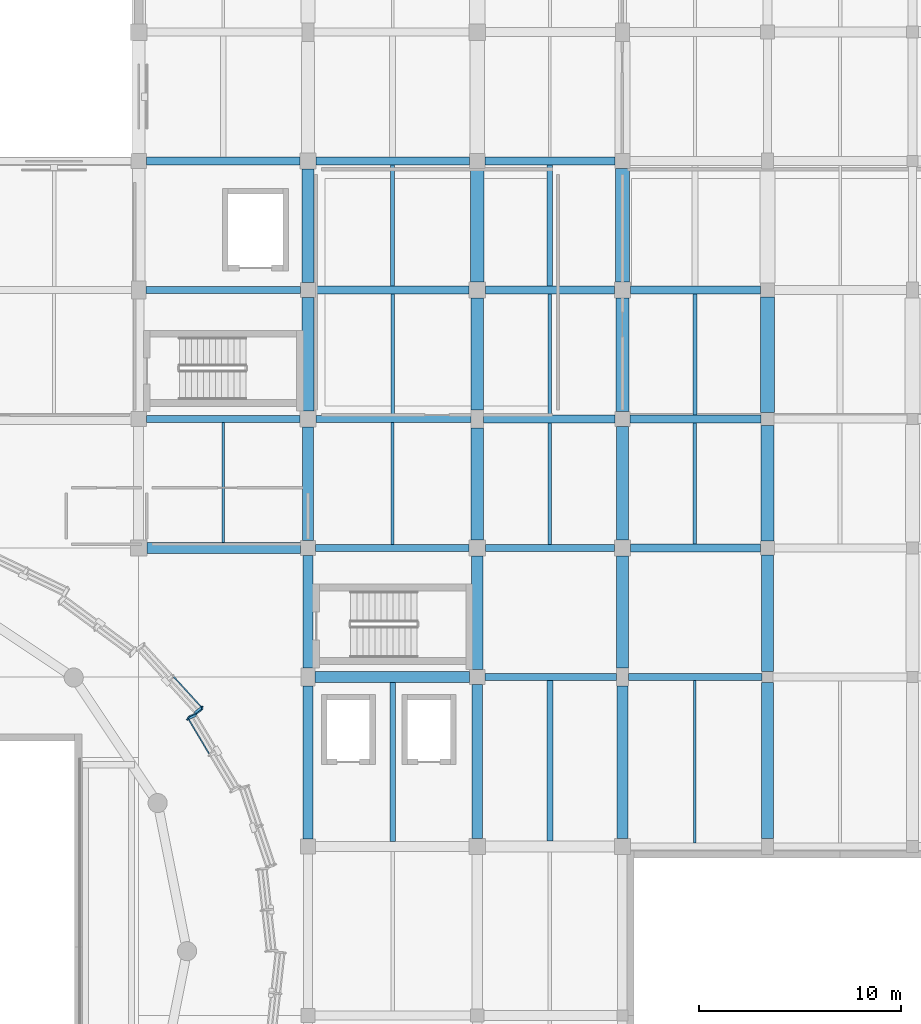
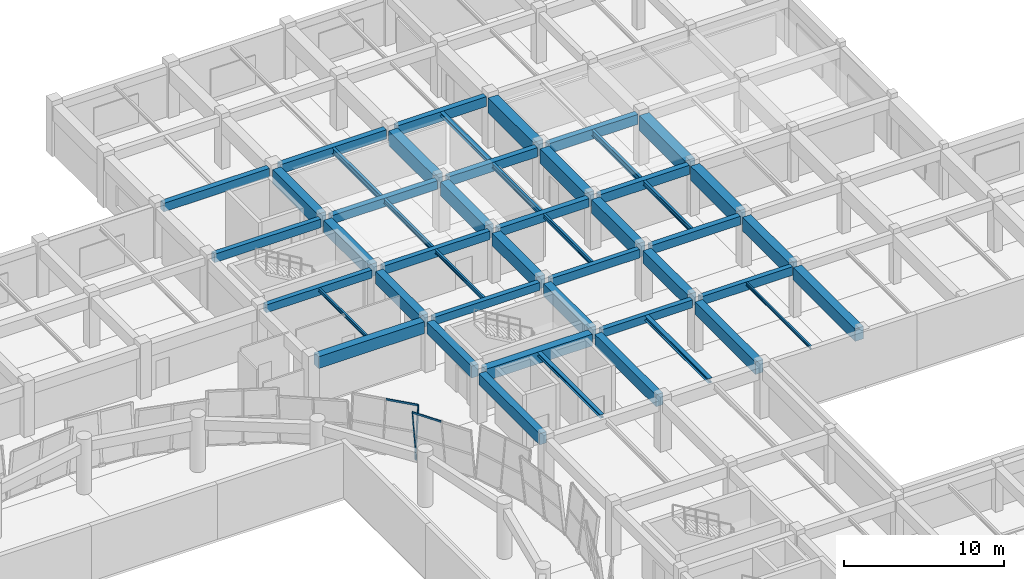
# One storey, part 37 of 71: 49 beams, 4 members, 2 elements without a shape of their own.
"""IFC4 building model written with IfcOpenShell, lengths in metres."""

from ifc_helpers import new_model, si_unit, direction, frame, origin, origin_2d, place, context, subcontext, project, spatial, rectangle, hollow_rectangle, i_section, extrude, material, material_profile, profile_set, type_object, element, aggregate, save


model = new_model("IFC4")

# Units and contexts
model_context = context("Model", 3, precision=1e-05, world=origin(), true_north=direction((0.0, 1.0)))
body_context = subcontext(model_context, "Body", "Model", "MODEL_VIEW")
ifc_project = project(units=[si_unit("LENGTHUNIT", "METRE"), si_unit("AREAUNIT", "SQUARE_METRE"), si_unit("VOLUMEUNIT", "CUBIC_METRE"), si_unit("PLANEANGLEUNIT", "RADIAN"), si_unit("MASSUNIT", "GRAM", prefix="KILO")], contexts=[model_context])

# Site, building, storey
site_placement = place(None, origin())
site = spatial("IfcSite", under=ifc_project, at=site_placement, CompositionType="ELEMENT")
building_placement = place(site_placement, origin())
building = spatial("IfcBuilding", under=site, at=building_placement, Name="Korsvaeld Concert Hall", CompositionType="ELEMENT")
storey_placement = place(building_placement, frame((0.0, 0.0, 4.800048828125)))
storey = spatial("IfcBuildingStorey", under=building, at=storey_placement, Name="L01", CompositionType="ELEMENT", Elevation=4.800048828125)

# Beams
ifc_material_1 = material(Name="Concrete C35/45", Category="concrete")
ifc_material_profile_1 = material_profile(ifc_material_1, rectangle(XDim=0.35009765625, YDim=0.60009765625, at=origin_2d()), Name="RC 350x600")
ifc_profile_set_1 = profile_set([ifc_material_profile_1], Name="Concrete C35/45")
beam_type_1 = type_object("IfcBeamType", Name="BM-RC-350x600", PredefinedType="T_BEAM", material=ifc_profile_set_1)
beam_1_placement = place(storey_placement, frame((117.97509765625, 76.800048828125, 3.5400390625), z_axis=(1.0, 0.0, 0.0), x_axis=(0.0, 1.0, 0.0)))
element("IfcBeam", 1, at=beam_1_placement, inside=storey, type_object=beam_type_1, Name="Primary girder 16-17/L L01", PredefinedType="T_BEAM", context=body_context, shape_type="SweptSolid", body=[
    extrude(rectangle(XDim=0.35009765625, YDim=0.60009765625, at=origin_2d()), origin(), (0.0, 0.0, 1.0), 6.52490234375),
])
for number, where, z_axis, x_axis, name in (
    (2, (109.574951171875, 83.199951171875, 3.5400390625), (1.0, 0.0, 0.0), (0.0, 1.0, 0.0), "Primary girder 15-16/M L01"),
    (3, (101.175048828125, 89.60009765625, 3.5400390625), (1.0, 0.0, 0.0), (0.0, 1.0, 0.0), "Primary girder 14-15/N L01"),
):
    element("IfcBeam", number, at=place(storey_placement, frame(where, z_axis=z_axis, x_axis=x_axis)), inside=storey, type_object=beam_type_1, Name=name, PredefinedType="T_BEAM", context=body_context, shape_type="SweptSolid", body=[
        extrude(rectangle(XDim=0.35009765625, YDim=0.60009765625, at=origin_2d()), origin(), (0.0, 0.0, 1.0), 7.625),
    ])
ifc_material_profile_2 = material_profile(ifc_material_1, rectangle(XDim=0.35009765625, YDim=0.64990234375, at=origin_2d()), Name="RC 350x650")
ifc_profile_set_2 = profile_set([ifc_material_profile_2], Name="Concrete C35/45")
beam_type_2 = type_object("IfcBeamType", Name="BM-RC-350x650", PredefinedType="T_BEAM", material=ifc_profile_set_2)
beam_2_placement = place(storey_placement, frame((125.10009765625, 76.800048828125, 3.514892578125), z_axis=(1.0, 0.0, 0.0), x_axis=(0.0, 1.0, 0.0)))
element("IfcBeam", 4, at=beam_2_placement, inside=storey, type_object=beam_type_2, Name="Primary girder 17-18/L L01", PredefinedType="T_BEAM", context=body_context, shape_type="SweptSolid", body=[
    extrude(rectangle(XDim=0.35009765625, YDim=0.64990234375, at=origin_2d()), origin(), (0.0, 0.0, 1.0), 6.625),
])
beam_3_placement = place(storey_placement, frame((118.0, 83.199951171875, 3.514892578125), z_axis=(1.0, 0.0, 0.0), x_axis=(0.0, 1.0, 0.0)))
element("IfcBeam", 5, at=beam_3_placement, inside=storey, type_object=beam_type_2, Name="Primary girder 16-17/M L01", PredefinedType="T_BEAM", context=body_context, shape_type="SweptSolid", body=[
    extrude(rectangle(XDim=0.35009765625, YDim=0.64990234375, at=origin_2d()), origin(), (0.0, 0.0, 1.0), 6.39990234375),
])
beam_4_placement = place(storey_placement, frame((109.60009765625, 89.60009765625, 3.514892578125), z_axis=(1.0, 0.0, 0.0), x_axis=(0.0, 1.0, 0.0)))
element("IfcBeam", 6, at=beam_4_placement, inside=storey, type_object=beam_type_2, Name="Primary girder 15-16/N L01", PredefinedType="T_BEAM", context=body_context, shape_type="SweptSolid", body=[
    extrude(rectangle(XDim=0.35009765625, YDim=0.64990234375, at=origin_2d()), origin(), (0.0, 0.0, 1.0), 7.699951171875),
])
beam_5_placement = place(storey_placement, frame((101.14990234375, 96.0, 3.514892578125), z_axis=(1.0, 0.0, 0.0), x_axis=(0.0, 1.0, 0.0)))
element("IfcBeam", 7, at=beam_5_placement, inside=storey, type_object=beam_type_2, Name="Primary girder 14-15/P L01", PredefinedType="T_BEAM", context=body_context, shape_type="SweptSolid", body=[
    extrude(rectangle(XDim=0.35009765625, YDim=0.64990234375, at=origin_2d()), origin(), (0.0, 0.0, 1.0), 7.675048828125),
])
ifc_material_profile_3 = material_profile(ifc_material_1, rectangle(XDim=0.39990234375, YDim=0.64990234375, at=origin_2d()), Name="RC 400x650")
ifc_profile_set_3 = profile_set([ifc_material_profile_3], Name="Concrete C35/45")
beam_type_3 = type_object("IfcBeamType", Name="BM-RC-400x650", PredefinedType="T_BEAM", material=ifc_profile_set_3)
beam_6_placement = place(storey_placement, frame((125.199951171875, 83.199951171875, 3.514892578125), z_axis=(1.0, 0.0, 0.0), x_axis=(0.0, 1.0, 0.0)))
element("IfcBeam", 8, at=beam_6_placement, inside=storey, type_object=beam_type_3, Name="Primary girder 17-18/M L01", PredefinedType="T_BEAM", context=body_context, shape_type="SweptSolid", body=[
    extrude(rectangle(XDim=0.39990234375, YDim=0.64990234375, at=origin_2d()), origin(), (0.0, 0.0, 1.0), 6.449951171875),
])
beam_7_placement = place(storey_placement, frame((117.89990234375, 89.60009765625, 3.514892578125), z_axis=(1.0, 0.0, 0.0), x_axis=(0.0, 1.0, 0.0)))
element("IfcBeam", 9, at=beam_7_placement, inside=storey, type_object=beam_type_3, Name="Primary girder 16-17/N L01", PredefinedType="T_BEAM", context=body_context, shape_type="SweptSolid", body=[
    extrude(rectangle(XDim=0.39990234375, YDim=0.64990234375, at=origin_2d()), origin(), (0.0, 0.0, 1.0), 6.525146484375),
])
for number, where, z_axis, x_axis, name in (
    (10, (109.574951171875, 96.0, 3.514892578125), (1.0, 0.0, 0.0), (0.0, 1.0, 0.0), "Primary girder 15-16/P L01"),
    (11, (101.175048828125, 102.39990234375, 3.514892578125), (1.0, 0.0, 0.0), (0.0, 1.0, 0.0), "Primary girder 14-15/Q L01"),
):
    element("IfcBeam", number, at=place(storey_placement, frame(where, z_axis=z_axis, x_axis=x_axis)), inside=storey, type_object=beam_type_3, Name=name, PredefinedType="T_BEAM", context=body_context, shape_type="SweptSolid", body=[
        extrude(rectangle(XDim=0.39990234375, YDim=0.64990234375, at=origin_2d()), origin(), (0.0, 0.0, 1.0), 7.625),
    ])
ifc_material_profile_4 = material_profile(ifc_material_1, rectangle(XDim=0.39990234375, YDim=0.699951171875, at=origin_2d()), Name="RC 400x700")
ifc_profile_set_4 = profile_set([ifc_material_profile_4], Name="Concrete C35/45")
beam_type_4 = type_object("IfcBeamType", Name="BM-RC-400x700", PredefinedType="T_BEAM", material=ifc_profile_set_4)
beam_8_placement = place(storey_placement, frame((125.175048828125, 89.60009765625, 3.489990234375), z_axis=(1.0, 0.0, 0.0), x_axis=(0.0, 1.0, 0.0)))
element("IfcBeam", 12, at=beam_8_placement, inside=storey, type_object=beam_type_4, Name="Primary girder 17-18/N L01", PredefinedType="T_BEAM", context=body_context, shape_type="SweptSolid", body=[
    extrude(rectangle(XDim=0.39990234375, YDim=0.699951171875, at=origin_2d()), origin(), (0.0, 0.0, 1.0), 6.5),
])
beam_9_placement = place(storey_placement, frame((118.0, 96.0, 3.489990234375), z_axis=(1.0, 0.0, 0.0), x_axis=(0.0, 1.0, 0.0)))
element("IfcBeam", 13, at=beam_9_placement, inside=storey, type_object=beam_type_4, Name="Primary girder 16-17/P L01", PredefinedType="T_BEAM", context=body_context, shape_type="SweptSolid", body=[
    extrude(rectangle(XDim=0.39990234375, YDim=0.699951171875, at=origin_2d()), origin(), (0.0, 0.0, 1.0), 6.39990234375),
])
beam_10_placement = place(storey_placement, frame((109.60009765625, 102.39990234375, 3.489990234375), z_axis=(1.0, 0.0, 0.0), x_axis=(0.0, 1.0, 0.0)))
element("IfcBeam", 14, at=beam_10_placement, inside=storey, type_object=beam_type_4, Name="Primary girder 15-16/Q L01", PredefinedType="T_BEAM", context=body_context, shape_type="SweptSolid", body=[
    extrude(rectangle(XDim=0.39990234375, YDim=0.699951171875, at=origin_2d()), origin(), (0.0, 0.0, 1.0), 7.625),
])
ifc_material_profile_5 = material_profile(ifc_material_1, rectangle(XDim=0.39990234375, YDim=0.75, at=origin_2d()), Name="RC 400x750")
ifc_profile_set_5 = profile_set([ifc_material_profile_5], Name="Concrete C35/45")
beam_type_5 = type_object("IfcBeamType", Name="BM-RC-400x750", PredefinedType="T_BEAM", material=ifc_profile_set_5)
for number, where, z_axis, x_axis, name in (
    (15, (125.199951171875, 96.0, 3.46484375), (1.0, 0.0, 0.0), (0.0, 1.0, 0.0), "Primary girder 17-18/P L01"),
    (16, (117.97509765625, 102.39990234375, 3.46484375), (1.0, 0.0, 0.0), (0.0, 1.0, 0.0), "Primary girder 16-17/Q L01"),
):
    element("IfcBeam", number, at=place(storey_placement, frame(where, z_axis=z_axis, x_axis=x_axis)), inside=storey, type_object=beam_type_5, Name=name, PredefinedType="T_BEAM", context=body_context, shape_type="SweptSolid", body=[
        extrude(rectangle(XDim=0.39990234375, YDim=0.75, at=origin_2d()), origin(), (0.0, 0.0, 1.0), 6.449951171875),
    ])
ifc_material_2 = material(Name="Concrete C40/50", Category="concrete")
ifc_material_profile_6 = material_profile(ifc_material_2, rectangle(XDim=0.5, YDim=0.85009765625, at=origin_2d()), Name="RC 500x850")
ifc_profile_set_6 = profile_set([ifc_material_profile_6], Name="Concrete C40/50")
beam_type_6 = type_object("IfcBeamType", Name="BM-RC-500x850", PredefinedType="T_BEAM", material=ifc_profile_set_6)
beam_11_placement = place(storey_placement, frame((109.199951171875, 68.77490234375, 3.4150390625), z_axis=(0.0, 1.0, 0.0), x_axis=(-1.0, 0.0, 0.0)))
element("IfcBeam", 17, at=beam_11_placement, inside=storey, type_object=beam_type_6, Name="Primary girder 15/K-L L01", PredefinedType="T_BEAM", context=body_context, shape_type="SweptSolid", body=[
    extrude(rectangle(XDim=0.5, YDim=0.85009765625, at=origin_2d()), origin(), (0.0, 0.0, 1.0), 7.5751953125),
])
ifc_material_profile_7 = material_profile(ifc_material_2, rectangle(XDim=0.5, YDim=0.89990234375, at=origin_2d()), Name="RC 500x900")
ifc_profile_set_7 = profile_set([ifc_material_profile_7], Name="Concrete C40/50")
beam_type_7 = type_object("IfcBeamType", Name="BM-RC-500x900", PredefinedType="T_BEAM", material=ifc_profile_set_7)
beam_12_placement = place(storey_placement, frame((109.199951171875, 77.25, 3.389892578125), z_axis=(0.0, 1.0, 0.0), x_axis=(-1.0, 0.0, 0.0)))
element("IfcBeam", 18, at=beam_12_placement, inside=storey, type_object=beam_type_7, Name="Primary girder 15/L-M L01", PredefinedType="T_BEAM", context=body_context, shape_type="SweptSolid", body=[
    extrude(rectangle(XDim=0.5, YDim=0.89990234375, at=origin_2d()), origin(), (0.0, 0.0, 1.0), 5.574951171875),
])
beam_13_placement = place(storey_placement, frame((117.60009765625, 68.800048828125, 3.389892578125), z_axis=(0.0, 1.0, 0.0), x_axis=(-1.0, 0.0, 0.0)))
element("IfcBeam", 19, at=beam_13_placement, inside=storey, type_object=beam_type_7, Name="Primary girder 16/K-L L01", PredefinedType="T_BEAM", context=body_context, shape_type="SweptSolid", body=[
    extrude(rectangle(XDim=0.5, YDim=0.89990234375, at=origin_2d()), origin(), (0.0, 0.0, 1.0), 7.625),
])
ifc_material_profile_8 = material_profile(ifc_material_2, rectangle(XDim=0.550048828125, YDim=0.89990234375, at=origin_2d()), Name="RC 550x900")
ifc_profile_set_8 = profile_set([ifc_material_profile_8], Name="Concrete C40/50")
beam_type_8 = type_object("IfcBeamType", Name="BM-RC-550x900", PredefinedType="T_BEAM", material=ifc_profile_set_8)
beam_14_placement = place(storey_placement, frame((109.550048828125, 76.800048828125, 3.389892578125), z_axis=(1.0, 0.0, 0.0), x_axis=(0.0, 1.0, 0.0)))
element("IfcBeam", 20, at=beam_14_placement, inside=storey, type_object=beam_type_8, Name="Primary girder 15-16/L L01", PredefinedType="T_BEAM", context=body_context, shape_type="SweptSolid", body=[
    extrude(rectangle(XDim=0.550048828125, YDim=0.89990234375, at=origin_2d()), origin(), (0.0, 0.0, 1.0), 7.675048828125),
])
beam_15_placement = place(storey_placement, frame((101.199951171875, 83.199951171875, 3.389892578125), z_axis=(1.0, 0.0, 0.0), x_axis=(0.0, 1.0, 0.0)))
element("IfcBeam", 21, at=beam_15_placement, inside=storey, type_object=beam_type_8, Name="Primary girder 14-15/M L01", PredefinedType="T_BEAM", context=body_context, shape_type="SweptSolid", body=[
    extrude(rectangle(XDim=0.550048828125, YDim=0.89990234375, at=origin_2d()), origin(), (0.0, 0.0, 1.0), 7.625),
])
ifc_material_profile_9 = material_profile(ifc_material_2, rectangle(XDim=0.550048828125, YDim=0.949951171875, at=origin_2d()), Name="RC 550x950")
ifc_profile_set_9 = profile_set([ifc_material_profile_9], Name="Concrete C40/50")
beam_type_9 = type_object("IfcBeamType", Name="BM-RC-550x950", PredefinedType="T_BEAM", material=ifc_profile_set_9)
for number, where, z_axis, x_axis, name in (
    (22, (109.199951171875, 83.574951171875, 3.364990234375), (0.0, 1.0, 0.0), (-1.0, 0.0, 0.0), "Primary girder 15/M-N L01"),
    (23, (117.60009765625, 77.175048828125, 3.364990234375), (0.0, 1.0, 0.0), (-1.0, 0.0, 0.0), "Primary girder 16/L-M L01"),
):
    element("IfcBeam", number, at=place(storey_placement, frame(where, z_axis=z_axis, x_axis=x_axis)), inside=storey, type_object=beam_type_9, Name=name, PredefinedType="T_BEAM", context=body_context, shape_type="SweptSolid", body=[
        extrude(rectangle(XDim=0.550048828125, YDim=0.949951171875, at=origin_2d()), origin(), (0.0, 0.0, 1.0), 5.625),
    ])
beam_16_placement = place(storey_placement, frame((124.800048828125, 68.800048828125, 3.364990234375), z_axis=(0.0, 1.0, 0.0), x_axis=(-1.0, 0.0, 0.0)))
element("IfcBeam", 24, at=beam_16_placement, inside=storey, type_object=beam_type_9, Name="Primary girder 17/K-L L01", PredefinedType="T_BEAM", context=body_context, shape_type="SweptSolid", body=[
    extrude(rectangle(XDim=0.550048828125, YDim=0.949951171875, at=origin_2d()), origin(), (0.0, 0.0, 1.0), 7.550048828125),
])
ifc_material_profile_10 = material_profile(ifc_material_2, rectangle(XDim=0.60009765625, YDim=1.050048828125, at=origin_2d()), Name="RC 600x1050")
ifc_profile_set_10 = profile_set([ifc_material_profile_10], Name="Concrete C40/50")
beam_type_10 = type_object("IfcBeamType", Name="BM-RC-600x1050", PredefinedType="T_BEAM", material=ifc_profile_set_10)
beam_17_placement = place(storey_placement, frame((109.199951171875, 96.375, 3.31494140625), z_axis=(0.0, 1.0, 0.0), x_axis=(-1.0, 0.0, 0.0)))
element("IfcBeam", 25, at=beam_17_placement, inside=storey, type_object=beam_type_10, Name="Primary girder 15/P-Q L01", PredefinedType="T_BEAM", context=body_context, shape_type="SweptSolid", body=[
    extrude(rectangle(XDim=0.60009765625, YDim=1.050048828125, at=origin_2d()), origin(), (0.0, 0.0, 1.0), 5.625),
])
beam_18_placement = place(storey_placement, frame((117.60009765625, 90.050048828125, 3.31494140625), z_axis=(0.0, 1.0, 0.0), x_axis=(-1.0, 0.0, 0.0)))
element("IfcBeam", 26, at=beam_18_placement, inside=storey, type_object=beam_type_10, Name="Primary girder 16/N-P L01", PredefinedType="T_BEAM", context=body_context, shape_type="SweptSolid", body=[
    extrude(rectangle(XDim=0.60009765625, YDim=1.050048828125, at=origin_2d()), origin(), (0.0, 0.0, 1.0), 5.550048828125),
])
beam_19_placement = place(storey_placement, frame((124.800048828125, 83.60009765625, 3.31494140625), z_axis=(0.0, 1.0, 0.0), x_axis=(-1.0, 0.0, 0.0)))
element("IfcBeam", 27, at=beam_19_placement, inside=storey, type_object=beam_type_10, Name="Primary girder 17/M-N L01", PredefinedType="T_BEAM", context=body_context, shape_type="SweptSolid", body=[
    extrude(rectangle(XDim=0.60009765625, YDim=1.050048828125, at=origin_2d()), origin(), (0.0, 0.0, 1.0), 5.625),
])
beam_20_placement = place(storey_placement, frame((132.0, 77.074951171875, 3.31494140625), z_axis=(0.0, 1.0, 0.0), x_axis=(-1.0, 0.0, 0.0)))
element("IfcBeam", 28, at=beam_20_placement, inside=storey, type_object=beam_type_10, Name="Primary girder 18/L-M L01", PredefinedType="T_BEAM", context=body_context, shape_type="SweptSolid", body=[
    extrude(rectangle(XDim=0.60009765625, YDim=1.050048828125, at=origin_2d()), origin(), (0.0, 0.0, 1.0), 5.775146484375),
])
ifc_material_profile_11 = material_profile(ifc_material_2, rectangle(XDim=0.60009765625, YDim=0.949951171875, at=origin_2d()), Name="RC 600x950")
ifc_profile_set_11 = profile_set([ifc_material_profile_11], Name="Concrete C40/50")
beam_type_11 = type_object("IfcBeamType", Name="BM-RC-600x950", PredefinedType="T_BEAM", material=ifc_profile_set_11)
beam_21_placement = place(storey_placement, frame((109.199951171875, 90.0, 3.364990234375), z_axis=(0.0, 1.0, 0.0), x_axis=(-1.0, 0.0, 0.0)))
element("IfcBeam", 29, at=beam_21_placement, inside=storey, type_object=beam_type_11, Name="Primary girder 15/N-P L01", PredefinedType="T_BEAM", context=body_context, shape_type="SweptSolid", body=[
    extrude(rectangle(XDim=0.60009765625, YDim=0.949951171875, at=origin_2d()), origin(), (0.0, 0.0, 1.0), 5.625),
])
beam_22_placement = place(storey_placement, frame((117.60009765625, 83.60009765625, 3.364990234375), z_axis=(0.0, 1.0, 0.0), x_axis=(-1.0, 0.0, 0.0)))
element("IfcBeam", 30, at=beam_22_placement, inside=storey, type_object=beam_type_11, Name="Primary girder 16/M-N L01", PredefinedType="T_BEAM", context=body_context, shape_type="SweptSolid", body=[
    extrude(rectangle(XDim=0.60009765625, YDim=0.949951171875, at=origin_2d()), origin(), (0.0, 0.0, 1.0), 5.5498046875),
])
beam_23_placement = place(storey_placement, frame((124.800048828125, 77.25, 3.364990234375), z_axis=(0.0, 1.0, 0.0), x_axis=(-1.0, 0.0, 0.0)))
element("IfcBeam", 31, at=beam_23_placement, inside=storey, type_object=beam_type_11, Name="Primary girder 17/L-M L01", PredefinedType="T_BEAM", context=body_context, shape_type="SweptSolid", body=[
    extrude(rectangle(XDim=0.60009765625, YDim=0.949951171875, at=origin_2d()), origin(), (0.0, 0.0, 1.0), 5.550048828125),
])
beam_24_placement = place(storey_placement, frame((132.0, 68.800048828125, 3.364990234375), z_axis=(0.0, 1.0, 0.0), x_axis=(-1.0, 0.0, 0.0)))
element("IfcBeam", 32, at=beam_24_placement, inside=storey, type_object=beam_type_11, Name="Primary girder 18/K-L L01", PredefinedType="T_BEAM", context=body_context, shape_type="SweptSolid", body=[
    extrude(rectangle(XDim=0.60009765625, YDim=0.949951171875, at=origin_2d()), origin(), (0.0, 0.0, 1.0), 7.724853515625),
])
ifc_material_profile_12 = material_profile(ifc_material_2, rectangle(XDim=0.64990234375, YDim=1.10009765625, at=origin_2d()), Name="RC 650x1100")
ifc_profile_set_12 = profile_set([ifc_material_profile_12], Name="Concrete C40/50")
beam_type_12 = type_object("IfcBeamType", Name="BM-RC-650x1100", PredefinedType="T_BEAM", material=ifc_profile_set_12)
for number, where, z_axis, x_axis, name in (
    (33, (117.60009765625, 96.39990234375, 3.2900390625), (0.0, 1.0, 0.0), (-1.0, 0.0, 0.0), "Primary girder 16/P-Q L01"),
    (34, (124.800048828125, 89.97509765625, 3.2900390625), (0.0, 1.0, 0.0), (-1.0, 0.0, 0.0), "Primary girder 17/N-P L01"),
):
    element("IfcBeam", number, at=place(storey_placement, frame(where, z_axis=z_axis, x_axis=x_axis)), inside=storey, type_object=beam_type_12, Name=name, PredefinedType="T_BEAM", context=body_context, shape_type="SweptSolid", body=[
        extrude(rectangle(XDim=0.64990234375, YDim=1.10009765625, at=origin_2d()), origin(), (0.0, 0.0, 1.0), 5.625),
    ])
beam_25_placement = place(storey_placement, frame((132.0, 83.550048828125, 3.2900390625), z_axis=(0.0, 1.0, 0.0), x_axis=(-1.0, 0.0, 0.0)))
element("IfcBeam", 35, at=beam_25_placement, inside=storey, type_object=beam_type_12, Name="Primary girder 18/M-N L01", PredefinedType="T_BEAM", context=body_context, shape_type="SweptSolid", body=[
    extrude(rectangle(XDim=0.64990234375, YDim=1.10009765625, at=origin_2d()), origin(), (0.0, 0.0, 1.0), 5.724853515625),
])
ifc_material_profile_13 = material_profile(ifc_material_2, rectangle(XDim=0.699951171875, YDim=1.14990234375, at=origin_2d()), Name="RC 700x1150")
ifc_profile_set_13 = profile_set([ifc_material_profile_13], Name="Concrete C40/50")
beam_type_13 = type_object("IfcBeamType", Name="BM-RC-700x1150", PredefinedType="T_BEAM", material=ifc_profile_set_13)
beam_26_placement = place(storey_placement, frame((124.800048828125, 96.39990234375, 3.264892578125), z_axis=(0.0, 1.0, 0.0), x_axis=(-1.0, 0.0, 0.0)))
element("IfcBeam", 36, at=beam_26_placement, inside=storey, type_object=beam_type_13, Name="Primary girder 17/P-Q L01", PredefinedType="T_BEAM", context=body_context, shape_type="SweptSolid", body=[
    extrude(rectangle(XDim=0.699951171875, YDim=1.14990234375, at=origin_2d()), origin(), (0.0, 0.0, 1.0), 5.625),
])
beam_27_placement = place(storey_placement, frame((132.0, 89.925048828125, 3.264892578125), z_axis=(0.0, 1.0, 0.0), x_axis=(-1.0, 0.0, 0.0)))
element("IfcBeam", 37, at=beam_27_placement, inside=storey, type_object=beam_type_13, Name="Primary girder 18/N-P L01", PredefinedType="T_BEAM", context=body_context, shape_type="SweptSolid", body=[
    extrude(rectangle(XDim=0.699951171875, YDim=1.14990234375, at=origin_2d()), origin(), (0.0, 0.0, 1.0), 5.724853515625),
])
ifc_material_3 = material(Name="Steel S355J2", Category="steel")
ifc_material_profile_14 = material_profile(ifc_material_3, i_section(OverallWidth=0.280029296875, OverallDepth=0.27001953125, WebThickness=0.008056640625, FlangeThickness=0.012939453125, FilletRadius=0.02392578125, at=origin_2d()), Name="HEA 280")
ifc_profile_set_14 = profile_set([ifc_material_profile_14], Name="Steel S355J2")
beam_type_14 = type_object("IfcBeamType", Name="BM-STL-HEA280", PredefinedType="BEAM", material=ifc_profile_set_14)
beam_28_placement = place(storey_placement, frame((113.39990234375, 68.64990234375, 3.704833984375), z_axis=(0.0, 1.0, 0.0), x_axis=(-1.0, 0.0, 0.0)))
element("IfcBeam", 38, at=beam_28_placement, inside=storey, type_object=beam_type_14, Name="Secondary steel floor beam 15-16/K L01", PredefinedType="BEAM", context=body_context, shape_type="SweptSolid", body=[
    extrude(i_section(OverallWidth=0.280029296875, OverallDepth=0.27001953125, WebThickness=0.008056640625, FlangeThickness=0.012939453125, FilletRadius=0.02392578125, at=origin_2d()), origin(), (0.0, 0.0, 1.0), 7.875),
])
beam_29_placement = place(storey_placement, frame((121.199951171875, 96.199951171875, 3.704833984375), z_axis=(0.0, 1.0, 0.0), x_axis=(-1.0, 0.0, 0.0)))
element("IfcBeam", 39, at=beam_29_placement, inside=storey, type_object=beam_type_14, Name="Secondary steel floor beam 16-17/P L01", PredefinedType="BEAM", context=body_context, shape_type="SweptSolid", body=[
    extrude(i_section(OverallWidth=0.280029296875, OverallDepth=0.27001953125, WebThickness=0.008056640625, FlangeThickness=0.012939453125, FilletRadius=0.02392578125, at=origin_2d()), origin(), (0.0, 0.0, 1.0), 6.0),
])
ifc_material_profile_15 = material_profile(ifc_material_3, i_section(OverallWidth=0.300048828125, OverallDepth=0.35009765625, WebThickness=0.010009765625, FlangeThickness=0.017578125, FilletRadius=0.027099609375, at=origin_2d()), Name="HEA 360")
ifc_profile_set_15 = profile_set([ifc_material_profile_15], Name="Steel S355J2")
beam_type_15 = type_object("IfcBeamType", Name="BM-STL-HEA360", PredefinedType="BEAM", material=ifc_profile_set_15)
beam_30_placement = place(storey_placement, frame((121.199951171875, 68.675048828125, 3.6650390625), z_axis=(0.0, 1.0, 0.0), x_axis=(-1.0, 0.0, 0.0)))
element("IfcBeam", 40, at=beam_30_placement, inside=storey, type_object=beam_type_15, Name="Secondary steel floor beam 16-17/K L01", PredefinedType="BEAM", context=body_context, shape_type="SweptSolid", body=[
    extrude(i_section(OverallWidth=0.300048828125, OverallDepth=0.35009765625, WebThickness=0.010009765625, FlangeThickness=0.017578125, FilletRadius=0.027099609375, at=origin_2d()), origin(), (0.0, 0.0, 1.0), 7.949951171875),
])
ifc_material_profile_16 = material_profile(ifc_material_3, i_section(OverallWidth=0.1201171875, OverallDepth=0.239990234375, WebThickness=0.006103515625, FlangeThickness=0.009765625, FilletRadius=0.014892578125, at=origin_2d()), Name="IPE 240")
ifc_profile_set_16 = profile_set([ifc_material_profile_16], Name="Steel S355J2")
beam_type_16 = type_object("IfcBeamType", Name="BM-STL-IPE240", PredefinedType="JOIST", material=ifc_profile_set_16)
beam_31_placement = place(storey_placement, frame((128.39990234375, 68.574951171875, 3.719970703125), z_axis=(0.0, 1.0, 0.0), x_axis=(-1.0, 0.0, 0.0)))
element("IfcBeam", 41, at=beam_31_placement, inside=storey, type_object=beam_type_16, Name="Secondary steel floor beam 17-18/K L01", PredefinedType="JOIST", context=body_context, shape_type="SweptSolid", body=[
    extrude(i_section(OverallWidth=0.1201171875, OverallDepth=0.239990234375, WebThickness=0.006103515625, FlangeThickness=0.009765625, FilletRadius=0.014892578125, at=origin_2d()), origin(), (0.0, 0.0, 1.0), 8.050048828125),
])
ifc_material_profile_17 = material_profile(ifc_material_3, i_section(OverallWidth=0.135009765625, OverallDepth=0.27001953125, WebThickness=0.006591796875, FlangeThickness=0.01025390625, FilletRadius=0.014892578125, at=origin_2d()), Name="IPE 270")
ifc_profile_set_17 = profile_set([ifc_material_profile_17], Name="Steel S355J2")
beam_type_17 = type_object("IfcBeamType", Name="BM-STL-IPE270", PredefinedType="JOIST", material=ifc_profile_set_17)
beam_32_placement = place(storey_placement, frame((105.0, 83.47509765625, 3.704833984375), z_axis=(0.0, 1.0, 0.0), x_axis=(-1.0, 0.0, 0.0)))
element("IfcBeam", 42, at=beam_32_placement, inside=storey, type_object=beam_type_17, Name="Secondary steel floor beam 14-15/M L01", PredefinedType="JOIST", context=body_context, shape_type="SweptSolid", body=[
    extrude(i_section(OverallWidth=0.135009765625, OverallDepth=0.27001953125, WebThickness=0.006591796875, FlangeThickness=0.01025390625, FilletRadius=0.014892578125, at=origin_2d()), origin(), (0.0, 0.0, 1.0), 5.949951171875),
])
ifc_material_profile_18 = material_profile(ifc_material_3, i_section(OverallWidth=0.14990234375, OverallDepth=0.300048828125, WebThickness=0.007080078125, FlangeThickness=0.0107421875, FilletRadius=0.014892578125, at=origin_2d()), Name="IPE 300")
ifc_profile_set_18 = profile_set([ifc_material_profile_18], Name="Steel S355J2")
beam_type_18 = type_object("IfcBeamType", Name="BM-STL-IPE300", PredefinedType="JOIST", material=ifc_profile_set_18)
beam_33_placement = place(storey_placement, frame((113.39990234375, 83.375, 3.68994140625), z_axis=(0.0, 1.0, 0.0), x_axis=(-1.0, 0.0, 0.0)))
element("IfcBeam", 43, at=beam_33_placement, inside=storey, type_object=beam_type_18, Name="Secondary steel floor beam 15-16/M L01", PredefinedType="JOIST", context=body_context, shape_type="SweptSolid", body=[
    extrude(i_section(OverallWidth=0.14990234375, OverallDepth=0.300048828125, WebThickness=0.007080078125, FlangeThickness=0.0107421875, FilletRadius=0.014892578125, at=origin_2d()), origin(), (0.0, 0.0, 1.0), 6.050048828125),
])
ifc_material_profile_19 = material_profile(ifc_material_3, i_section(OverallWidth=0.159912109375, OverallDepth=0.330078125, WebThickness=0.007568359375, FlangeThickness=0.011474609375, FilletRadius=0.01806640625, at=origin_2d()), Name="IPE 330")
ifc_profile_set_19 = profile_set([ifc_material_profile_19], Name="Steel S355J2")
beam_type_19 = type_object("IfcBeamType", Name="BM-STL-IPE330", PredefinedType="BEAM", material=ifc_profile_set_19)
beam_34_placement = place(storey_placement, frame((121.199951171875, 83.375, 3.675048828125), z_axis=(0.0, 1.0, 0.0), x_axis=(-1.0, 0.0, 0.0)))
element("IfcBeam", 44, at=beam_34_placement, inside=storey, type_object=beam_type_19, Name="Secondary steel floor beam 16-17/M L01", PredefinedType="BEAM", context=body_context, shape_type="SweptSolid", body=[
    extrude(i_section(OverallWidth=0.159912109375, OverallDepth=0.330078125, WebThickness=0.007568359375, FlangeThickness=0.011474609375, FilletRadius=0.01806640625, at=origin_2d()), origin(), (0.0, 0.0, 1.0), 6.02490234375),
])
ifc_material_profile_20 = material_profile(ifc_material_3, i_section(OverallWidth=0.169921875, OverallDepth=0.360107421875, WebThickness=0.008056640625, FlangeThickness=0.0126953125, FilletRadius=0.01806640625, at=origin_2d()), Name="IPE 360")
ifc_profile_set_20 = profile_set([ifc_material_profile_20], Name="Steel S355J2")
beam_type_20 = type_object("IfcBeamType", Name="BM-STL-IPE360", PredefinedType="BEAM", material=ifc_profile_set_20)
beam_35_placement = place(storey_placement, frame((113.39990234375, 89.77490234375, 3.659912109375), z_axis=(0.0, 1.0, 0.0), x_axis=(-1.0, 0.0, 0.0)))
element("IfcBeam", 45, at=beam_35_placement, inside=storey, type_object=beam_type_20, Name="Secondary steel floor beam 15-16/N L01", PredefinedType="BEAM", context=body_context, shape_type="SweptSolid", body=[
    extrude(i_section(OverallWidth=0.169921875, OverallDepth=0.360107421875, WebThickness=0.008056640625, FlangeThickness=0.0126953125, FilletRadius=0.01806640625, at=origin_2d()), origin(), (0.0, 0.0, 1.0), 6.025146484375),
])
beam_36_placement = place(storey_placement, frame((128.39990234375, 83.39990234375, 3.659912109375), z_axis=(0.0, 1.0, 0.0), x_axis=(-1.0, 0.0, 0.0)))
element("IfcBeam", 46, at=beam_36_placement, inside=storey, type_object=beam_type_20, Name="Secondary steel floor beam 17-18/M L01", PredefinedType="BEAM", context=body_context, shape_type="SweptSolid", body=[
    extrude(i_section(OverallWidth=0.169921875, OverallDepth=0.360107421875, WebThickness=0.008056640625, FlangeThickness=0.0126953125, FilletRadius=0.01806640625, at=origin_2d()), origin(), (0.0, 0.0, 1.0), 6.0),
])
ifc_material_profile_21 = material_profile(ifc_material_3, i_section(OverallWidth=0.179931640625, OverallDepth=0.39990234375, WebThickness=0.008544921875, FlangeThickness=0.013427734375, FilletRadius=0.02099609375, at=origin_2d()), Name="IPE 400")
ifc_profile_set_21 = profile_set([ifc_material_profile_21], Name="Steel S355J2")
beam_type_21 = type_object("IfcBeamType", Name="BM-STL-IPE400", PredefinedType="BEAM", material=ifc_profile_set_21)
beam_37_placement = place(storey_placement, frame((121.199951171875, 89.800048828125, 3.639892578125), z_axis=(0.0, 1.0, 0.0), x_axis=(-1.0, 0.0, 0.0)))
element("IfcBeam", 47, at=beam_37_placement, inside=storey, type_object=beam_type_21, Name="Secondary steel floor beam 16-17/N L01", PredefinedType="BEAM", context=body_context, shape_type="SweptSolid", body=[
    extrude(i_section(OverallWidth=0.179931640625, OverallDepth=0.39990234375, WebThickness=0.008544921875, FlangeThickness=0.013427734375, FilletRadius=0.02099609375, at=origin_2d()), origin(), (0.0, 0.0, 1.0), 6.0),
])
ifc_material_profile_22 = material_profile(ifc_material_3, i_section(OverallWidth=0.18994140625, OverallDepth=0.449951171875, WebThickness=0.009521484375, FlangeThickness=0.0146484375, FilletRadius=0.02099609375, at=origin_2d()), Name="IPE 450")
ifc_profile_set_22 = profile_set([ifc_material_profile_22], Name="Steel S355J2")
beam_type_22 = type_object("IfcBeamType", Name="BM-STL-IPE450", PredefinedType="BEAM", material=ifc_profile_set_22)
for number, where, z_axis, x_axis, name in (
    (48, (113.39990234375, 96.199951171875, 3.614990234375), (0.0, 1.0, 0.0), (-1.0, 0.0, 0.0), "Secondary steel floor beam 15-16/P L01"),
    (49, (128.39990234375, 89.800048828125, 3.614990234375), (0.0, 1.0, 0.0), (-1.0, 0.0, 0.0), "Secondary steel floor beam 17-18/N L01"),
):
    element("IfcBeam", number, at=place(storey_placement, frame(where, z_axis=z_axis, x_axis=x_axis)), inside=storey, type_object=beam_type_22, Name=name, PredefinedType="BEAM", context=body_context, shape_type="SweptSolid", body=[
        extrude(i_section(OverallWidth=0.18994140625, OverallDepth=0.449951171875, WebThickness=0.009521484375, FlangeThickness=0.0146484375, FilletRadius=0.02099609375, at=origin_2d()), origin(), (0.0, 0.0, 1.0), 6.0),
    ])

# Curtain wall, member
ifc_material_4 = material(Name="Anodised bronze and ceramic-fritted safety glass", Category="glass")
curtain_wall_type_1 = type_object("IfcCurtainWallType", Name="CW-TYPE-04", PredefinedType="USERDEFINED", material=ifc_material_4)
curtain_wall_1_placement = place(storey_placement, origin())
curtain_wall_1 = element("IfcCurtainWall", 50, at=curtain_wall_1_placement, inside=storey, type_object=curtain_wall_type_1, Name="Crystal curtain-wall facet L01 F04", ObjectType="CURTAIN WALL", PredefinedType="USERDEFINED")
ifc_material_5 = material(Name="Anodised architectural bronze aluminium", Category="aluminium")
ifc_material_profile_23 = material_profile(ifc_material_5, hollow_rectangle(XDim=0.074951171875, YDim=0.179931640625, WallThickness=0.0048828125, at=origin_2d()), Name="CWM 180x75x5")
ifc_profile_set_23 = profile_set([ifc_material_profile_23], Name="Anodised architectural bronze aluminium")
member_type_1 = type_object("IfcMemberType", Name="CWM-BRONZE-180x75", PredefinedType="MULLION", material=ifc_profile_set_23)
member_1_placement = place(storey_placement, frame((103.597412109375, 75.005859375, 0.0), z_axis=(0.091092396556, 0.067147037681, 0.993576092013), x_axis=(0.977499972004, -0.19664090034, -0.076329293496)))
member_1 = element("IfcMember", 51, at=member_1_placement, type_object=member_type_1, Name="CW-CRYS-L01-F04 crystal mullion 1", PredefinedType="MULLION", context=body_context, shape_type="SweptSolid", body=[
    extrude(hollow_rectangle(XDim=0.074951171875, YDim=0.179931640625, WallThickness=0.0048828125, at=origin_2d()), origin(), (0.0, 0.0, 1.0), 3.905029296875),
])

# Curtain wall, members
curtain_wall_type_2 = type_object("IfcCurtainWallType", Name="CW-TYPE-03", PredefinedType="USERDEFINED", material=ifc_material_4)
curtain_wall_2_placement = place(storey_placement, origin())
curtain_wall_2 = element("IfcCurtainWall", 52, at=curtain_wall_2_placement, inside=storey, type_object=curtain_wall_type_2, Name="Crystal curtain-wall facet L01 F03", ObjectType="CURTAIN WALL", PredefinedType="USERDEFINED")
ifc_material_profile_24 = material_profile(ifc_material_5, hollow_rectangle(XDim=0.074951171875, YDim=0.219970703125, WallThickness=0.006103515625, at=origin_2d()), Name="CWM 220x75x6")
ifc_profile_set_24 = profile_set([ifc_material_profile_24], Name="Anodised architectural bronze aluminium")
member_type_2 = type_object("IfcMemberType", Name="CWM-BRONZE-220x75", PredefinedType="MULLION", material=ifc_profile_set_24)
member_2_placement = place(storey_placement, frame((103.641845703125, 74.94580078125, 0.0), z_axis=(-0.102033449935, -0.04895354859, 0.993575726945), x_axis=(-0.829810679162, 0.555036387008, -0.057869213275)))
member_2 = element("IfcMember", 53, at=member_2_placement, type_object=member_type_2, Name="CW-CRYS-L01-F03 crystal mullion 3", PredefinedType="MULLION", context=body_context, shape_type="SweptSolid", body=[
    extrude(hollow_rectangle(XDim=0.074951171875, YDim=0.219970703125, WallThickness=0.006103515625, at=origin_2d()), origin(), (0.0, 0.0, 1.0), 3.905029296875),
])
ifc_material_profile_25 = material_profile(ifc_material_5, hollow_rectangle(XDim=0.06005859375, YDim=0.139892578125, WallThickness=0.00390625, at=origin_2d()), Name="CWT 140x60x4")
ifc_profile_set_25 = profile_set([ifc_material_profile_25], Name="Anodised architectural bronze aluminium")
member_type_3 = type_object("IfcMemberType", Name="CWT-BRONZE-140x60", PredefinedType="USERDEFINED", material=ifc_profile_set_25)
member_3_placement = place(storey_placement, frame((104.298583984375, 72.98779296875, 3.849853515625), z_axis=(-0.511328750939, 0.859385192136, 0.0), x_axis=(-0.859385192136, -0.511328750939, 0.0)))
member_3 = element("IfcMember", 54, at=member_3_placement, type_object=member_type_3, Name="CW-CRYS-L01-F03 crystal transom 2.3", ObjectType="TRANSOM", PredefinedType="USERDEFINED", context=body_context, shape_type="SweptSolid", body=[
    extrude(hollow_rectangle(XDim=0.06005859375, YDim=0.139892578125, WallThickness=0.00390625, at=origin_2d()), origin(), (0.0, 0.0, 1.0), 2.020263671875),
])
aggregate(curtain_wall_2, [member_2, member_3])

# Member
member_4_placement = place(storey_placement, frame((103.92529296875, 75.293701171875, 3.849853515625), z_axis=(-0.674496604142, 0.738277949692, 0.0), x_axis=(-0.738277949692, -0.674496604142, 0.0)))
member_4 = element("IfcMember", 55, at=member_4_placement, type_object=member_type_3, Name="CW-CRYS-L01-F04 crystal transom 1.3", ObjectType="TRANSOM", PredefinedType="USERDEFINED", context=body_context, shape_type="SweptSolid", body=[
    extrude(hollow_rectangle(XDim=0.06005859375, YDim=0.139892578125, WallThickness=0.00390625, at=origin_2d()), origin(), (0.0, 0.0, 1.0), 2.063232421875),
])

aggregate(curtain_wall_1, [member_1, member_4])

save(model, "model.ifc")
